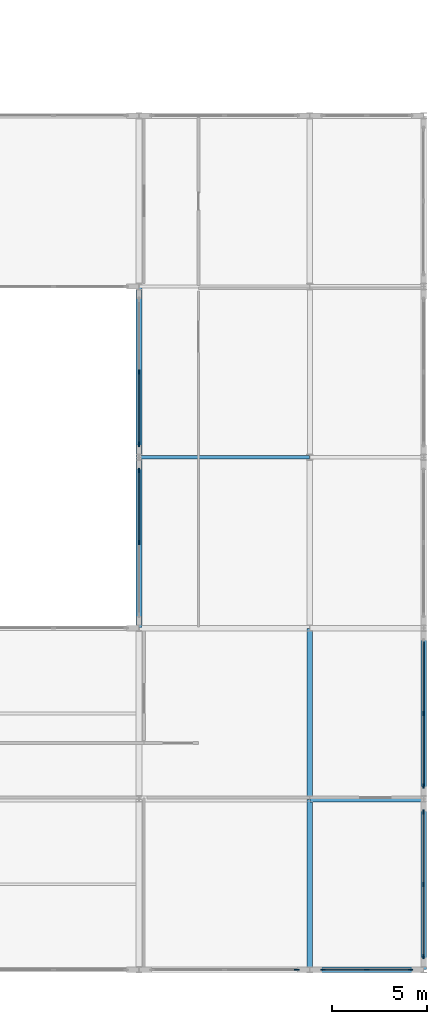
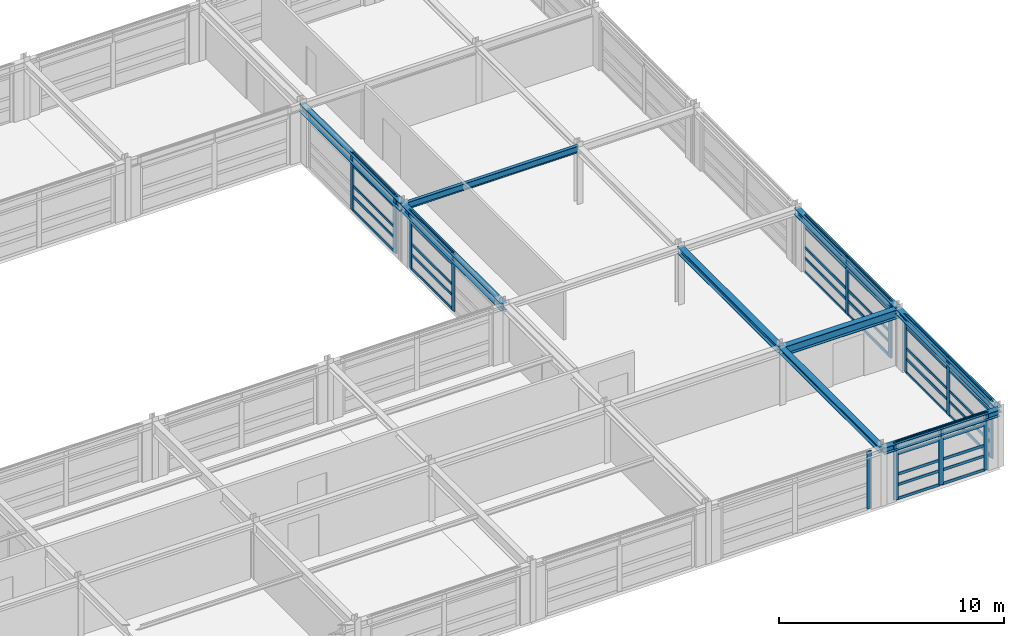
# One storey, part 51 of 91: 53 members, 9 beams, 6 elements without a shape of their own.
"""IFC4 building model written with IfcOpenShell, lengths in metres."""

from ifc_helpers import new_model, si_unit, direction, frame, origin, origin_2d, place, context, subcontext, project, spatial, rectangle, i_section, extrude, material, material_profile, profile_set, type_object, element, aggregate, save


model = new_model("IFC4")

# Units and contexts
model_context = context("Model", 3, precision=1e-05, world=origin(), true_north=direction((0.0, 1.0)))
body_context = subcontext(model_context, "Body", "Model", "MODEL_VIEW")
ifc_project = project(units=[si_unit("LENGTHUNIT", "METRE"), si_unit("AREAUNIT", "SQUARE_METRE"), si_unit("VOLUMEUNIT", "CUBIC_METRE"), si_unit("PLANEANGLEUNIT", "RADIAN"), si_unit("MASSUNIT", "GRAM", prefix="KILO")], contexts=[model_context])

# Site, building, storey
site_placement = place(None, origin())
site = spatial("IfcSite", under=ifc_project, at=site_placement, CompositionType="ELEMENT")
building_placement = place(site_placement, origin())
building = spatial("IfcBuilding", under=site, at=building_placement, Name="Palais des Congres Ocreval", CompositionType="ELEMENT")
storey_placement = place(building_placement, frame((0.0, 0.0, 8.159912109375)))
storey = spatial("IfcBuildingStorey", under=building, at=storey_placement, Name="L02", CompositionType="ELEMENT", Elevation=8.159912109375)

# Beam
ifc_material_1 = material(Name="Steel S355", Category="steel")
ifc_material_profile_1 = material_profile(ifc_material_1, i_section(OverallWidth=0.169921875, OverallDepth=0.360107421875, WebThickness=0.008056640625, FlangeThickness=0.0126953125, at=origin_2d()), Name="IPE 360")
ifc_profile_set_1 = profile_set([ifc_material_profile_1], Name="Steel S355")
beam_type_1 = type_object("IfcBeamType", Name="Composite Beam IPE 360 Steel S355", PredefinedType="BEAM", material=ifc_profile_set_1)
beam_1_placement = place(storey_placement, frame((153.02001953125, 27.0, 2.920166015625), z_axis=(1.0, 0.0, 0.0), x_axis=(0.0, 1.0, 0.0)))
element("IfcBeam", 1, at=beam_1_placement, inside=storey, type_object=beam_type_1, Name="Beam B01 L02", PredefinedType="BEAM", context=body_context, shape_type="SweptSolid", body=[
    extrude(i_section(OverallWidth=0.169921875, OverallDepth=0.360107421875, WebThickness=0.008056640625, FlangeThickness=0.0126953125, at=origin_2d()), origin(), (0.0, 0.0, 1.0), 8.9599609375),
])

# Curtain wall, members
ifc_material_2 = material(Name="Anodized bronze aluminium and low-E glass", Category="glass")
curtain_wall_type_1 = type_object("IfcCurtainWallType", Name="Unitised Curtain Wall 7900x3120", PredefinedType="USERDEFINED", material=ifc_material_2)
curtain_wall_1_placement = place(storey_placement, origin())
curtain_wall_1 = element("IfcCurtainWall", 2, at=curtain_wall_1_placement, inside=storey, type_object=curtain_wall_type_1, Name="Unitised Curtain Wall CW03 L02", ObjectType="UNITISED CURTAIN WALL", PredefinedType="USERDEFINED")
ifc_material_3 = material(Name="Anodized bronze aluminium", Category="aluminium")
ifc_material_profile_2 = material_profile(ifc_material_3, rectangle(XDim=0.074951171875, YDim=0.239990234375, at=origin_2d()), Name="ALU 75x240")
ifc_profile_set_2 = profile_set([ifc_material_profile_2], Name="Anodized bronze aluminium")
member_type_1 = type_object("IfcMemberType", Name="Curtain Wall Mullion ALU 75x240", PredefinedType="MULLION", material=ifc_profile_set_2)
member_1_placement = place(storey_placement, frame((168.0, 13.5, 0.0), z_axis=(0.0, 0.0, 1.0), x_axis=(1.0, 0.0, 0.0)))
member_1 = element("IfcMember", 3, at=member_1_placement, type_object=member_type_1, Name="Curtain Wall Mullion ML01", PredefinedType="MULLION", context=body_context, shape_type="SweptSolid", body=[
    extrude(rectangle(XDim=0.074951171875, YDim=0.239990234375, at=origin_2d()), origin(), (0.0, 0.0, 1.0), 3.110107421875),
])
member_2_placement = place(storey_placement, frame((168.0, 9.6875, 0.0), z_axis=(0.0, 0.0, 1.0), x_axis=(1.0, 0.0, 0.0)))
member_2 = element("IfcMember", 4, at=member_2_placement, type_object=member_type_1, Name="Curtain Wall Mullion ML01", PredefinedType="MULLION", context=body_context, shape_type="SweptSolid", body=[
    extrude(rectangle(XDim=0.074951171875, YDim=0.239990234375, at=origin_2d()), origin(), (0.0, 0.0, 1.0), 3.110107421875),
])

curtain_wall_2_placement = place(storey_placement, origin())
curtain_wall_2 = element("IfcCurtainWall", 5, at=curtain_wall_2_placement, inside=storey, type_object=curtain_wall_type_1, Name="Unitised Curtain Wall CW03 L02", ObjectType="UNITISED CURTAIN WALL", PredefinedType="USERDEFINED")
member_3_placement = place(storey_placement, frame((168.0, 8.3125, 0.0), z_axis=(0.0, 0.0, 1.0), x_axis=(1.0, 0.0, 0.0)))
member_3 = element("IfcMember", 6, at=member_3_placement, type_object=member_type_1, Name="Curtain Wall Mullion ML01", PredefinedType="MULLION", context=body_context, shape_type="SweptSolid", body=[
    extrude(rectangle(XDim=0.074951171875, YDim=0.239990234375, at=origin_2d()), origin(), (0.0, 0.0, 1.0), 3.110107421875),
])
member_4_placement = place(storey_placement, frame((168.0, 4.5, 0.0), z_axis=(0.0, 0.0, 1.0), x_axis=(1.0, 0.0, 0.0)))
member_4 = element("IfcMember", 7, at=member_4_placement, type_object=member_type_1, Name="Curtain Wall Mullion ML01", PredefinedType="MULLION", context=body_context, shape_type="SweptSolid", body=[
    extrude(rectangle(XDim=0.074951171875, YDim=0.239990234375, at=origin_2d()), origin(), (0.0, 0.0, 1.0), 3.110107421875),
])
member_5_placement = place(storey_placement, frame((168.0, 0.6875, 0.0), z_axis=(0.0, 0.0, 1.0), x_axis=(1.0, 0.0, 0.0)))
member_5 = element("IfcMember", 8, at=member_5_placement, type_object=member_type_1, Name="Curtain Wall Mullion ML01", PredefinedType="MULLION", context=body_context, shape_type="SweptSolid", body=[
    extrude(rectangle(XDim=0.074951171875, YDim=0.239990234375, at=origin_2d()), origin(), (0.0, 0.0, 1.0), 3.110107421875),
])

curtain_wall_type_2 = type_object("IfcCurtainWallType", Name="Unitised Curtain Wall 5800x3280", PredefinedType="USERDEFINED", material=ifc_material_2)
curtain_wall_3_placement = place(storey_placement, origin())
curtain_wall_3 = element("IfcCurtainWall", 9, at=curtain_wall_3_placement, inside=storey, type_object=curtain_wall_type_2, Name="Unitised Curtain Wall CW14 L02", ObjectType="UNITISED CURTAIN WALL", PredefinedType="USERDEFINED")
member_6_placement = place(storey_placement, frame((167.3125, 0.0, 0.0), z_axis=(0.0, 0.0, 1.0), x_axis=(0.0, -1.0, 0.0)))
member_6 = element("IfcMember", 10, at=member_6_placement, type_object=member_type_1, Name="Curtain Wall Mullion ML01", PredefinedType="MULLION", context=body_context, shape_type="SweptSolid", body=[
    extrude(rectangle(XDim=0.074951171875, YDim=0.239990234375, at=origin_2d()), origin(), (0.0, 0.0, 1.0), 3.110107421875),
])
member_7_placement = place(storey_placement, frame((165.0, 0.0, 0.0), z_axis=(0.0, 0.0, 1.0), x_axis=(0.0, -1.0, 0.0)))
member_7 = element("IfcMember", 11, at=member_7_placement, type_object=member_type_1, Name="Curtain Wall Mullion ML01", PredefinedType="MULLION", context=body_context, shape_type="SweptSolid", body=[
    extrude(rectangle(XDim=0.074951171875, YDim=0.239990234375, at=origin_2d()), origin(), (0.0, 0.0, 1.0), 3.110107421875),
])
member_8_placement = place(storey_placement, frame((162.6875, 0.0, 0.0), z_axis=(0.0, 0.0, 1.0), x_axis=(0.0, -1.0, 0.0)))
member_8 = element("IfcMember", 12, at=member_8_placement, type_object=member_type_1, Name="Curtain Wall Mullion ML01", PredefinedType="MULLION", context=body_context, shape_type="SweptSolid", body=[
    extrude(rectangle(XDim=0.074951171875, YDim=0.239990234375, at=origin_2d()), origin(), (0.0, 0.0, 1.0), 3.110107421875),
])

# Curtain wall, member
curtain_wall_4_placement = place(storey_placement, origin())
curtain_wall_4 = element("IfcCurtainWall", 13, at=curtain_wall_4_placement, inside=storey, type_object=curtain_wall_type_1, Name="Unitised Curtain Wall CW03 L02", ObjectType="UNITISED CURTAIN WALL", PredefinedType="USERDEFINED")
member_9_placement = place(storey_placement, frame((161.3125, 0.0, 0.0), z_axis=(0.0, 0.0, 1.0), x_axis=(0.0, -1.0, 0.0)))
member_9 = element("IfcMember", 14, at=member_9_placement, type_object=member_type_1, Name="Curtain Wall Mullion ML01", PredefinedType="MULLION", context=body_context, shape_type="SweptSolid", body=[
    extrude(rectangle(XDim=0.074951171875, YDim=0.239990234375, at=origin_2d()), origin(), (0.0, 0.0, 1.0), 3.110107421875),
])
aggregate(curtain_wall_4, [member_9])

# Curtain wall, members
curtain_wall_5_placement = place(storey_placement, origin())
curtain_wall_5 = element("IfcCurtainWall", 15, at=curtain_wall_5_placement, inside=storey, type_object=curtain_wall_type_1, Name="Unitised Curtain Wall CW03 L02", ObjectType="UNITISED CURTAIN WALL", PredefinedType="USERDEFINED")
member_10_placement = place(storey_placement, frame((153.0, 22.5, 0.0), z_axis=(0.0, 0.0, 1.0), x_axis=(-1.0, 0.0, 0.0)))
member_10 = element("IfcMember", 16, at=member_10_placement, type_object=member_type_1, Name="Curtain Wall Mullion ML01", PredefinedType="MULLION", context=body_context, shape_type="SweptSolid", body=[
    extrude(rectangle(XDim=0.074951171875, YDim=0.239990234375, at=origin_2d()), origin(), (0.0, 0.0, 1.0), 3.110107421875),
])
member_11_placement = place(storey_placement, frame((153.0, 26.3125, 0.0), z_axis=(0.0, 0.0, 1.0), x_axis=(-1.0, 0.0, 0.0)))
member_11 = element("IfcMember", 17, at=member_11_placement, type_object=member_type_1, Name="Curtain Wall Mullion ML01", PredefinedType="MULLION", context=body_context, shape_type="SweptSolid", body=[
    extrude(rectangle(XDim=0.074951171875, YDim=0.239990234375, at=origin_2d()), origin(), (0.0, 0.0, 1.0), 3.110107421875),
])

curtain_wall_6_placement = place(storey_placement, origin())
curtain_wall_6 = element("IfcCurtainWall", 18, at=curtain_wall_6_placement, inside=storey, type_object=curtain_wall_type_1, Name="Unitised Curtain Wall CW03 L02", ObjectType="UNITISED CURTAIN WALL", PredefinedType="USERDEFINED")
member_12_placement = place(storey_placement, frame((153.0, 27.6875, 0.0), z_axis=(0.0, 0.0, 1.0), x_axis=(-1.0, 0.0, 0.0)))
member_12 = element("IfcMember", 19, at=member_12_placement, type_object=member_type_1, Name="Curtain Wall Mullion ML01", PredefinedType="MULLION", context=body_context, shape_type="SweptSolid", body=[
    extrude(rectangle(XDim=0.074951171875, YDim=0.239990234375, at=origin_2d()), origin(), (0.0, 0.0, 1.0), 3.110107421875),
])
member_13_placement = place(storey_placement, frame((153.0, 31.5, 0.0), z_axis=(0.0, 0.0, 1.0), x_axis=(-1.0, 0.0, 0.0)))
member_13 = element("IfcMember", 20, at=member_13_placement, type_object=member_type_1, Name="Curtain Wall Mullion ML01", PredefinedType="MULLION", context=body_context, shape_type="SweptSolid", body=[
    extrude(rectangle(XDim=0.074951171875, YDim=0.239990234375, at=origin_2d()), origin(), (0.0, 0.0, 1.0), 3.110107421875),
])

# Member
ifc_material_profile_3 = material_profile(ifc_material_3, rectangle(XDim=0.06005859375, YDim=0.14990234375, at=origin_2d()), Name="ALU 60x150")
ifc_profile_set_3 = profile_set([ifc_material_profile_3], Name="Anodized bronze aluminium")
member_type_2 = type_object("IfcMemberType", Name="Curtain Wall Transom ALU 60x150", PredefinedType="USERDEFINED", material=ifc_profile_set_3)
member_14_placement = place(storey_placement, frame((168.0, 17.27490234375, 0.030029296875), z_axis=(0.0, -1.0, 0.0), x_axis=(1.0, 0.0, 0.0)))
member_14 = element("IfcMember", 21, at=member_14_placement, type_object=member_type_2, Name="Curtain Wall Transom TR01", ObjectType="TRANSOM", PredefinedType="USERDEFINED", context=body_context, shape_type="SweptSolid", body=[
    extrude(rectangle(XDim=0.06005859375, YDim=0.14990234375, at=origin_2d()), origin(), (0.0, 0.0, 1.0), 3.7373046875),
])

member_15_placement = place(storey_placement, frame((168.0, 17.27490234375, 0.780029296875), z_axis=(0.0, -1.0, 0.0), x_axis=(1.0, 0.0, 0.0)))
member_15 = element("IfcMember", 22, at=member_15_placement, type_object=member_type_2, Name="Curtain Wall Transom TR01", ObjectType="TRANSOM", PredefinedType="USERDEFINED", context=body_context, shape_type="SweptSolid", body=[
    extrude(rectangle(XDim=0.06005859375, YDim=0.14990234375, at=origin_2d()), origin(), (0.0, 0.0, 1.0), 3.7373046875),
])

member_16_placement = place(storey_placement, frame((168.0, 17.27490234375, 1.35302734375), z_axis=(0.0, -1.0, 0.0), x_axis=(1.0, 0.0, 0.0)))
member_16 = element("IfcMember", 23, at=member_16_placement, type_object=member_type_2, Name="Curtain Wall Transom TR01", ObjectType="TRANSOM", PredefinedType="USERDEFINED", context=body_context, shape_type="SweptSolid", body=[
    extrude(rectangle(XDim=0.06005859375, YDim=0.14990234375, at=origin_2d()), origin(), (0.0, 0.0, 1.0), 3.7373046875),
])

member_17_placement = place(storey_placement, frame((168.0, 17.27490234375, 2.460205078125), z_axis=(0.0, -1.0, 0.0), x_axis=(1.0, 0.0, 0.0)))
member_17 = element("IfcMember", 24, at=member_17_placement, type_object=member_type_2, Name="Curtain Wall Transom TR01", ObjectType="TRANSOM", PredefinedType="USERDEFINED", context=body_context, shape_type="SweptSolid", body=[
    extrude(rectangle(XDim=0.06005859375, YDim=0.14990234375, at=origin_2d()), origin(), (0.0, 0.0, 1.0), 3.7373046875),
])

member_18_placement = place(storey_placement, frame((168.0, 17.27490234375, 3.080078125), z_axis=(0.0, -1.0, 0.0), x_axis=(1.0, 0.0, 0.0)))
member_18 = element("IfcMember", 25, at=member_18_placement, type_object=member_type_2, Name="Curtain Wall Transom TR01", ObjectType="TRANSOM", PredefinedType="USERDEFINED", context=body_context, shape_type="SweptSolid", body=[
    extrude(rectangle(XDim=0.06005859375, YDim=0.14990234375, at=origin_2d()), origin(), (0.0, 0.0, 1.0), 3.7373046875),
])

member_19_placement = place(storey_placement, frame((168.0, 13.46240234375, 0.030029296875), z_axis=(0.0, -1.0, 0.0), x_axis=(1.0, 0.0, 0.0)))
member_19 = element("IfcMember", 26, at=member_19_placement, type_object=member_type_2, Name="Curtain Wall Transom TR01", ObjectType="TRANSOM", PredefinedType="USERDEFINED", context=body_context, shape_type="SweptSolid", body=[
    extrude(rectangle(XDim=0.06005859375, YDim=0.14990234375, at=origin_2d()), origin(), (0.0, 0.0, 1.0), 3.7373046875),
])

member_20_placement = place(storey_placement, frame((168.0, 13.46240234375, 0.780029296875), z_axis=(0.0, -1.0, 0.0), x_axis=(1.0, 0.0, 0.0)))
member_20 = element("IfcMember", 27, at=member_20_placement, type_object=member_type_2, Name="Curtain Wall Transom TR01", ObjectType="TRANSOM", PredefinedType="USERDEFINED", context=body_context, shape_type="SweptSolid", body=[
    extrude(rectangle(XDim=0.06005859375, YDim=0.14990234375, at=origin_2d()), origin(), (0.0, 0.0, 1.0), 3.7373046875),
])

member_21_placement = place(storey_placement, frame((168.0, 13.46240234375, 1.35302734375), z_axis=(0.0, -1.0, 0.0), x_axis=(1.0, 0.0, 0.0)))
member_21 = element("IfcMember", 28, at=member_21_placement, type_object=member_type_2, Name="Curtain Wall Transom TR01", ObjectType="TRANSOM", PredefinedType="USERDEFINED", context=body_context, shape_type="SweptSolid", body=[
    extrude(rectangle(XDim=0.06005859375, YDim=0.14990234375, at=origin_2d()), origin(), (0.0, 0.0, 1.0), 3.7373046875),
])

member_22_placement = place(storey_placement, frame((168.0, 13.46240234375, 2.460205078125), z_axis=(0.0, -1.0, 0.0), x_axis=(1.0, 0.0, 0.0)))
member_22 = element("IfcMember", 29, at=member_22_placement, type_object=member_type_2, Name="Curtain Wall Transom TR01", ObjectType="TRANSOM", PredefinedType="USERDEFINED", context=body_context, shape_type="SweptSolid", body=[
    extrude(rectangle(XDim=0.06005859375, YDim=0.14990234375, at=origin_2d()), origin(), (0.0, 0.0, 1.0), 3.7373046875),
])

member_23_placement = place(storey_placement, frame((168.0, 13.46240234375, 3.080078125), z_axis=(0.0, -1.0, 0.0), x_axis=(1.0, 0.0, 0.0)))
member_23 = element("IfcMember", 30, at=member_23_placement, type_object=member_type_2, Name="Curtain Wall Transom TR01", ObjectType="TRANSOM", PredefinedType="USERDEFINED", context=body_context, shape_type="SweptSolid", body=[
    extrude(rectangle(XDim=0.06005859375, YDim=0.14990234375, at=origin_2d()), origin(), (0.0, 0.0, 1.0), 3.7373046875),
])

aggregate(curtain_wall_1, [member_1, member_2, member_14, member_15, member_16, member_17, member_18, member_19, member_20, member_21, member_22, member_23])

member_24_placement = place(storey_placement, frame((168.0, 8.27490234375, 0.030029296875), z_axis=(0.0, -1.0, 0.0), x_axis=(1.0, 0.0, 0.0)))
member_24 = element("IfcMember", 31, at=member_24_placement, type_object=member_type_2, Name="Curtain Wall Transom TR01", ObjectType="TRANSOM", PredefinedType="USERDEFINED", context=body_context, shape_type="SweptSolid", body=[
    extrude(rectangle(XDim=0.06005859375, YDim=0.14990234375, at=origin_2d()), origin(), (0.0, 0.0, 1.0), 3.7373046875),
])

member_25_placement = place(storey_placement, frame((168.0, 8.27490234375, 0.780029296875), z_axis=(0.0, -1.0, 0.0), x_axis=(1.0, 0.0, 0.0)))
member_25 = element("IfcMember", 32, at=member_25_placement, type_object=member_type_2, Name="Curtain Wall Transom TR01", ObjectType="TRANSOM", PredefinedType="USERDEFINED", context=body_context, shape_type="SweptSolid", body=[
    extrude(rectangle(XDim=0.06005859375, YDim=0.14990234375, at=origin_2d()), origin(), (0.0, 0.0, 1.0), 3.7373046875),
])

member_26_placement = place(storey_placement, frame((168.0, 8.27490234375, 1.35302734375), z_axis=(0.0, -1.0, 0.0), x_axis=(1.0, 0.0, 0.0)))
member_26 = element("IfcMember", 33, at=member_26_placement, type_object=member_type_2, Name="Curtain Wall Transom TR01", ObjectType="TRANSOM", PredefinedType="USERDEFINED", context=body_context, shape_type="SweptSolid", body=[
    extrude(rectangle(XDim=0.06005859375, YDim=0.14990234375, at=origin_2d()), origin(), (0.0, 0.0, 1.0), 3.7373046875),
])

member_27_placement = place(storey_placement, frame((168.0, 8.27490234375, 2.460205078125), z_axis=(0.0, -1.0, 0.0), x_axis=(1.0, 0.0, 0.0)))
member_27 = element("IfcMember", 34, at=member_27_placement, type_object=member_type_2, Name="Curtain Wall Transom TR01", ObjectType="TRANSOM", PredefinedType="USERDEFINED", context=body_context, shape_type="SweptSolid", body=[
    extrude(rectangle(XDim=0.06005859375, YDim=0.14990234375, at=origin_2d()), origin(), (0.0, 0.0, 1.0), 3.7373046875),
])

member_28_placement = place(storey_placement, frame((168.0, 8.27490234375, 3.080078125), z_axis=(0.0, -1.0, 0.0), x_axis=(1.0, 0.0, 0.0)))
member_28 = element("IfcMember", 35, at=member_28_placement, type_object=member_type_2, Name="Curtain Wall Transom TR01", ObjectType="TRANSOM", PredefinedType="USERDEFINED", context=body_context, shape_type="SweptSolid", body=[
    extrude(rectangle(XDim=0.06005859375, YDim=0.14990234375, at=origin_2d()), origin(), (0.0, 0.0, 1.0), 3.7373046875),
])

member_29_placement = place(storey_placement, frame((168.0, 4.46240234375, 0.030029296875), z_axis=(0.0, -1.0, 0.0), x_axis=(1.0, 0.0, 0.0)))
member_29 = element("IfcMember", 36, at=member_29_placement, type_object=member_type_2, Name="Curtain Wall Transom TR01", ObjectType="TRANSOM", PredefinedType="USERDEFINED", context=body_context, shape_type="SweptSolid", body=[
    extrude(rectangle(XDim=0.06005859375, YDim=0.14990234375, at=origin_2d()), origin(), (0.0, 0.0, 1.0), 3.7373046875),
])

member_30_placement = place(storey_placement, frame((168.0, 4.46240234375, 0.780029296875), z_axis=(0.0, -1.0, 0.0), x_axis=(1.0, 0.0, 0.0)))
member_30 = element("IfcMember", 37, at=member_30_placement, type_object=member_type_2, Name="Curtain Wall Transom TR01", ObjectType="TRANSOM", PredefinedType="USERDEFINED", context=body_context, shape_type="SweptSolid", body=[
    extrude(rectangle(XDim=0.06005859375, YDim=0.14990234375, at=origin_2d()), origin(), (0.0, 0.0, 1.0), 3.7373046875),
])

member_31_placement = place(storey_placement, frame((168.0, 4.46240234375, 1.35302734375), z_axis=(0.0, -1.0, 0.0), x_axis=(1.0, 0.0, 0.0)))
member_31 = element("IfcMember", 38, at=member_31_placement, type_object=member_type_2, Name="Curtain Wall Transom TR01", ObjectType="TRANSOM", PredefinedType="USERDEFINED", context=body_context, shape_type="SweptSolid", body=[
    extrude(rectangle(XDim=0.06005859375, YDim=0.14990234375, at=origin_2d()), origin(), (0.0, 0.0, 1.0), 3.7373046875),
])

member_32_placement = place(storey_placement, frame((168.0, 4.46240234375, 2.460205078125), z_axis=(0.0, -1.0, 0.0), x_axis=(1.0, 0.0, 0.0)))
member_32 = element("IfcMember", 39, at=member_32_placement, type_object=member_type_2, Name="Curtain Wall Transom TR01", ObjectType="TRANSOM", PredefinedType="USERDEFINED", context=body_context, shape_type="SweptSolid", body=[
    extrude(rectangle(XDim=0.06005859375, YDim=0.14990234375, at=origin_2d()), origin(), (0.0, 0.0, 1.0), 3.7373046875),
])

member_33_placement = place(storey_placement, frame((168.0, 4.46240234375, 3.080078125), z_axis=(0.0, -1.0, 0.0), x_axis=(1.0, 0.0, 0.0)))
member_33 = element("IfcMember", 40, at=member_33_placement, type_object=member_type_2, Name="Curtain Wall Transom TR01", ObjectType="TRANSOM", PredefinedType="USERDEFINED", context=body_context, shape_type="SweptSolid", body=[
    extrude(rectangle(XDim=0.06005859375, YDim=0.14990234375, at=origin_2d()), origin(), (0.0, 0.0, 1.0), 3.7373046875),
])

aggregate(curtain_wall_2, [member_3, member_4, member_5, member_24, member_25, member_26, member_27, member_28, member_29, member_30, member_31, member_32, member_33])

member_34_placement = place(storey_placement, frame((167.27490234375, 0.0, 0.030029296875), z_axis=(-1.0, 0.0, 0.0), x_axis=(0.0, -1.0, 0.0)))
member_34 = element("IfcMember", 41, at=member_34_placement, type_object=member_type_2, Name="Curtain Wall Transom TR01", ObjectType="TRANSOM", PredefinedType="USERDEFINED", context=body_context, shape_type="SweptSolid", body=[
    extrude(rectangle(XDim=0.06005859375, YDim=0.14990234375, at=origin_2d()), origin(), (0.0, 0.0, 1.0), 2.2373046875),
])

member_35_placement = place(storey_placement, frame((167.27490234375, 0.0, 0.780029296875), z_axis=(-1.0, 0.0, 0.0), x_axis=(0.0, -1.0, 0.0)))
member_35 = element("IfcMember", 42, at=member_35_placement, type_object=member_type_2, Name="Curtain Wall Transom TR01", ObjectType="TRANSOM", PredefinedType="USERDEFINED", context=body_context, shape_type="SweptSolid", body=[
    extrude(rectangle(XDim=0.06005859375, YDim=0.14990234375, at=origin_2d()), origin(), (0.0, 0.0, 1.0), 2.2373046875),
])

member_36_placement = place(storey_placement, frame((167.27490234375, 0.0, 1.35302734375), z_axis=(-1.0, 0.0, 0.0), x_axis=(0.0, -1.0, 0.0)))
member_36 = element("IfcMember", 43, at=member_36_placement, type_object=member_type_2, Name="Curtain Wall Transom TR01", ObjectType="TRANSOM", PredefinedType="USERDEFINED", context=body_context, shape_type="SweptSolid", body=[
    extrude(rectangle(XDim=0.06005859375, YDim=0.14990234375, at=origin_2d()), origin(), (0.0, 0.0, 1.0), 2.2373046875),
])

member_37_placement = place(storey_placement, frame((167.27490234375, 0.0, 2.460205078125), z_axis=(-1.0, 0.0, 0.0), x_axis=(0.0, -1.0, 0.0)))
member_37 = element("IfcMember", 44, at=member_37_placement, type_object=member_type_2, Name="Curtain Wall Transom TR01", ObjectType="TRANSOM", PredefinedType="USERDEFINED", context=body_context, shape_type="SweptSolid", body=[
    extrude(rectangle(XDim=0.06005859375, YDim=0.14990234375, at=origin_2d()), origin(), (0.0, 0.0, 1.0), 2.2373046875),
])

member_38_placement = place(storey_placement, frame((167.27490234375, 0.0, 3.080078125), z_axis=(-1.0, 0.0, 0.0), x_axis=(0.0, -1.0, 0.0)))
member_38 = element("IfcMember", 45, at=member_38_placement, type_object=member_type_2, Name="Curtain Wall Transom TR01", ObjectType="TRANSOM", PredefinedType="USERDEFINED", context=body_context, shape_type="SweptSolid", body=[
    extrude(rectangle(XDim=0.06005859375, YDim=0.14990234375, at=origin_2d()), origin(), (0.0, 0.0, 1.0), 2.2373046875),
])

member_39_placement = place(storey_placement, frame((164.96240234375, 0.0, 0.030029296875), z_axis=(-1.0, 0.0, 0.0), x_axis=(0.0, -1.0, 0.0)))
member_39 = element("IfcMember", 46, at=member_39_placement, type_object=member_type_2, Name="Curtain Wall Transom TR01", ObjectType="TRANSOM", PredefinedType="USERDEFINED", context=body_context, shape_type="SweptSolid", body=[
    extrude(rectangle(XDim=0.06005859375, YDim=0.14990234375, at=origin_2d()), origin(), (0.0, 0.0, 1.0), 2.2373046875),
])

member_40_placement = place(storey_placement, frame((164.96240234375, 0.0, 0.780029296875), z_axis=(-1.0, 0.0, 0.0), x_axis=(0.0, -1.0, 0.0)))
member_40 = element("IfcMember", 47, at=member_40_placement, type_object=member_type_2, Name="Curtain Wall Transom TR01", ObjectType="TRANSOM", PredefinedType="USERDEFINED", context=body_context, shape_type="SweptSolid", body=[
    extrude(rectangle(XDim=0.06005859375, YDim=0.14990234375, at=origin_2d()), origin(), (0.0, 0.0, 1.0), 2.2373046875),
])

member_41_placement = place(storey_placement, frame((164.96240234375, 0.0, 1.35302734375), z_axis=(-1.0, 0.0, 0.0), x_axis=(0.0, -1.0, 0.0)))
member_41 = element("IfcMember", 48, at=member_41_placement, type_object=member_type_2, Name="Curtain Wall Transom TR01", ObjectType="TRANSOM", PredefinedType="USERDEFINED", context=body_context, shape_type="SweptSolid", body=[
    extrude(rectangle(XDim=0.06005859375, YDim=0.14990234375, at=origin_2d()), origin(), (0.0, 0.0, 1.0), 2.2373046875),
])

member_42_placement = place(storey_placement, frame((164.96240234375, 0.0, 2.460205078125), z_axis=(-1.0, 0.0, 0.0), x_axis=(0.0, -1.0, 0.0)))
member_42 = element("IfcMember", 49, at=member_42_placement, type_object=member_type_2, Name="Curtain Wall Transom TR01", ObjectType="TRANSOM", PredefinedType="USERDEFINED", context=body_context, shape_type="SweptSolid", body=[
    extrude(rectangle(XDim=0.06005859375, YDim=0.14990234375, at=origin_2d()), origin(), (0.0, 0.0, 1.0), 2.2373046875),
])

member_43_placement = place(storey_placement, frame((164.96240234375, 0.0, 3.080078125), z_axis=(-1.0, 0.0, 0.0), x_axis=(0.0, -1.0, 0.0)))
member_43 = element("IfcMember", 50, at=member_43_placement, type_object=member_type_2, Name="Curtain Wall Transom TR01", ObjectType="TRANSOM", PredefinedType="USERDEFINED", context=body_context, shape_type="SweptSolid", body=[
    extrude(rectangle(XDim=0.06005859375, YDim=0.14990234375, at=origin_2d()), origin(), (0.0, 0.0, 1.0), 2.2373046875),
])

aggregate(curtain_wall_3, [member_6, member_7, member_8, member_34, member_35, member_36, member_37, member_38, member_39, member_40, member_41, member_42, member_43])

member_44_placement = place(storey_placement, frame((153.0, 22.53759765625, 0.030029296875), z_axis=(0.0, 1.0, 0.0), x_axis=(-1.0, 0.0, 0.0)))
member_44 = element("IfcMember", 51, at=member_44_placement, type_object=member_type_2, Name="Curtain Wall Transom TR01", ObjectType="TRANSOM", PredefinedType="USERDEFINED", context=body_context, shape_type="SweptSolid", body=[
    extrude(rectangle(XDim=0.06005859375, YDim=0.14990234375, at=origin_2d()), origin(), (0.0, 0.0, 1.0), 3.7373046875),
])

member_45_placement = place(storey_placement, frame((153.0, 22.53759765625, 0.780029296875), z_axis=(0.0, 1.0, 0.0), x_axis=(-1.0, 0.0, 0.0)))
member_45 = element("IfcMember", 52, at=member_45_placement, type_object=member_type_2, Name="Curtain Wall Transom TR01", ObjectType="TRANSOM", PredefinedType="USERDEFINED", context=body_context, shape_type="SweptSolid", body=[
    extrude(rectangle(XDim=0.06005859375, YDim=0.14990234375, at=origin_2d()), origin(), (0.0, 0.0, 1.0), 3.7373046875),
])

member_46_placement = place(storey_placement, frame((153.0, 22.53759765625, 1.35302734375), z_axis=(0.0, 1.0, 0.0), x_axis=(-1.0, 0.0, 0.0)))
member_46 = element("IfcMember", 53, at=member_46_placement, type_object=member_type_2, Name="Curtain Wall Transom TR01", ObjectType="TRANSOM", PredefinedType="USERDEFINED", context=body_context, shape_type="SweptSolid", body=[
    extrude(rectangle(XDim=0.06005859375, YDim=0.14990234375, at=origin_2d()), origin(), (0.0, 0.0, 1.0), 3.7373046875),
])

member_47_placement = place(storey_placement, frame((153.0, 22.53759765625, 2.460205078125), z_axis=(0.0, 1.0, 0.0), x_axis=(-1.0, 0.0, 0.0)))
member_47 = element("IfcMember", 54, at=member_47_placement, type_object=member_type_2, Name="Curtain Wall Transom TR01", ObjectType="TRANSOM", PredefinedType="USERDEFINED", context=body_context, shape_type="SweptSolid", body=[
    extrude(rectangle(XDim=0.06005859375, YDim=0.14990234375, at=origin_2d()), origin(), (0.0, 0.0, 1.0), 3.7373046875),
])

member_48_placement = place(storey_placement, frame((153.0, 22.53759765625, 3.080078125), z_axis=(0.0, 1.0, 0.0), x_axis=(-1.0, 0.0, 0.0)))
member_48 = element("IfcMember", 55, at=member_48_placement, type_object=member_type_2, Name="Curtain Wall Transom TR01", ObjectType="TRANSOM", PredefinedType="USERDEFINED", context=body_context, shape_type="SweptSolid", body=[
    extrude(rectangle(XDim=0.06005859375, YDim=0.14990234375, at=origin_2d()), origin(), (0.0, 0.0, 1.0), 3.7373046875),
])

aggregate(curtain_wall_5, [member_10, member_11, member_44, member_45, member_46, member_47, member_48])

member_49_placement = place(storey_placement, frame((153.0, 27.72509765625, 0.030029296875), z_axis=(0.0, 1.0, 0.0), x_axis=(-1.0, 0.0, 0.0)))
member_49 = element("IfcMember", 56, at=member_49_placement, type_object=member_type_2, Name="Curtain Wall Transom TR01", ObjectType="TRANSOM", PredefinedType="USERDEFINED", context=body_context, shape_type="SweptSolid", body=[
    extrude(rectangle(XDim=0.06005859375, YDim=0.14990234375, at=origin_2d()), origin(), (0.0, 0.0, 1.0), 3.7373046875),
])

member_50_placement = place(storey_placement, frame((153.0, 27.72509765625, 0.780029296875), z_axis=(0.0, 1.0, 0.0), x_axis=(-1.0, 0.0, 0.0)))
member_50 = element("IfcMember", 57, at=member_50_placement, type_object=member_type_2, Name="Curtain Wall Transom TR01", ObjectType="TRANSOM", PredefinedType="USERDEFINED", context=body_context, shape_type="SweptSolid", body=[
    extrude(rectangle(XDim=0.06005859375, YDim=0.14990234375, at=origin_2d()), origin(), (0.0, 0.0, 1.0), 3.7373046875),
])

member_51_placement = place(storey_placement, frame((153.0, 27.72509765625, 1.35302734375), z_axis=(0.0, 1.0, 0.0), x_axis=(-1.0, 0.0, 0.0)))
member_51 = element("IfcMember", 58, at=member_51_placement, type_object=member_type_2, Name="Curtain Wall Transom TR01", ObjectType="TRANSOM", PredefinedType="USERDEFINED", context=body_context, shape_type="SweptSolid", body=[
    extrude(rectangle(XDim=0.06005859375, YDim=0.14990234375, at=origin_2d()), origin(), (0.0, 0.0, 1.0), 3.7373046875),
])

member_52_placement = place(storey_placement, frame((153.0, 27.72509765625, 2.460205078125), z_axis=(0.0, 1.0, 0.0), x_axis=(-1.0, 0.0, 0.0)))
member_52 = element("IfcMember", 59, at=member_52_placement, type_object=member_type_2, Name="Curtain Wall Transom TR01", ObjectType="TRANSOM", PredefinedType="USERDEFINED", context=body_context, shape_type="SweptSolid", body=[
    extrude(rectangle(XDim=0.06005859375, YDim=0.14990234375, at=origin_2d()), origin(), (0.0, 0.0, 1.0), 3.7373046875),
])

member_53_placement = place(storey_placement, frame((153.0, 27.72509765625, 3.080078125), z_axis=(0.0, 1.0, 0.0), x_axis=(-1.0, 0.0, 0.0)))
member_53 = element("IfcMember", 60, at=member_53_placement, type_object=member_type_2, Name="Curtain Wall Transom TR01", ObjectType="TRANSOM", PredefinedType="USERDEFINED", context=body_context, shape_type="SweptSolid", body=[
    extrude(rectangle(XDim=0.06005859375, YDim=0.14990234375, at=origin_2d()), origin(), (0.0, 0.0, 1.0), 3.7373046875),
])

aggregate(curtain_wall_6, [member_12, member_13, member_49, member_50, member_51, member_52, member_53])

# Beams
ifc_material_profile_4 = material_profile(ifc_material_1, i_section(OverallWidth=0.300048828125, OverallDepth=0.300048828125, WebThickness=0.010986328125, FlangeThickness=0.01904296875, at=origin_2d()), Name="HEB 300")
ifc_profile_set_4 = profile_set([ifc_material_profile_4], Name="Steel S355")
beam_type_2 = type_object("IfcBeamType", Name="Perimeter Spandrel HEB 300 Steel S355", PredefinedType="SPANDREL", material=ifc_profile_set_4)
for number, where, z_axis, x_axis, name in (
    (61, (162.0, 0.02001953125, 2.9501953125), (0.0, 1.0, 0.0), (-1.0, 0.0, 0.0), "Girder SP02 L02"),
    (62, (168.0, 0.02001953125, 2.9501953125), (0.0, 1.0, 0.0), (-1.0, 0.0, 0.0), "Girder SP02 L02"),
):
    element("IfcBeam", number, at=place(storey_placement, frame(where, z_axis=z_axis, x_axis=x_axis)), inside=storey, type_object=beam_type_2, Name=name, PredefinedType="SPANDREL", context=body_context, shape_type="SweptSolid", body=[
        extrude(i_section(OverallWidth=0.300048828125, OverallDepth=0.300048828125, WebThickness=0.010986328125, FlangeThickness=0.01904296875, at=origin_2d()), origin(), (0.0, 0.0, 1.0), 8.9599609375),
    ])
ifc_material_profile_5 = material_profile(ifc_material_1, i_section(OverallWidth=0.300048828125, OverallDepth=0.360107421875, WebThickness=0.012451171875, FlangeThickness=0.0224609375, at=origin_2d()), Name="HEB 360")
ifc_profile_set_5 = profile_set([ifc_material_profile_5], Name="Steel S355")
beam_type_3 = type_object("IfcBeamType", Name="Perimeter Spandrel HEB 360 Steel S355", PredefinedType="SPANDREL", material=ifc_profile_set_5)
beam_2_placement = place(storey_placement, frame((162.02001953125, 0.0, 2.920166015625), z_axis=(1.0, 0.0, 0.0), x_axis=(0.0, 1.0, 0.0)))
element("IfcBeam", 63, at=beam_2_placement, inside=storey, type_object=beam_type_3, Name="Beam SP03 L02", PredefinedType="SPANDREL", context=body_context, shape_type="SweptSolid", body=[
    extrude(i_section(OverallWidth=0.300048828125, OverallDepth=0.360107421875, WebThickness=0.012451171875, FlangeThickness=0.0224609375, at=origin_2d()), origin(), (0.0, 0.0, 1.0), 5.9599609375),
])
for number, where, z_axis, x_axis, name in (
    (64, (162.0, 9.02001953125, 2.920166015625), (0.0, 1.0, 0.0), (-1.0, 0.0, 0.0), "Girder SP03 L02"),
    (65, (168.0, 9.02001953125, 2.920166015625), (0.0, 1.0, 0.0), (-1.0, 0.0, 0.0), "Girder SP03 L02"),
):
    element("IfcBeam", number, at=place(storey_placement, frame(where, z_axis=z_axis, x_axis=x_axis)), inside=storey, type_object=beam_type_3, Name=name, PredefinedType="SPANDREL", context=body_context, shape_type="SweptSolid", body=[
        extrude(i_section(OverallWidth=0.300048828125, OverallDepth=0.360107421875, WebThickness=0.012451171875, FlangeThickness=0.0224609375, at=origin_2d()), origin(), (0.0, 0.0, 1.0), 8.9599609375),
    ])
ifc_material_profile_6 = material_profile(ifc_material_1, i_section(OverallWidth=0.300048828125, OverallDepth=0.389892578125, WebThickness=0.010986328125, FlangeThickness=0.01904296875, at=origin_2d()), Name="HEA 400")
ifc_profile_set_6 = profile_set([ifc_material_profile_6], Name="Steel S355")
beam_type_4 = type_object("IfcBeamType", Name="Primary Beam HEA 400 Steel S355", PredefinedType="BEAM", material=ifc_profile_set_6)
beam_3_placement = place(storey_placement, frame((153.0, 18.02001953125, 2.905029296875), z_axis=(0.0, 1.0, 0.0), x_axis=(-1.0, 0.0, 0.0)))
element("IfcBeam", 66, at=beam_3_placement, inside=storey, type_object=beam_type_4, Name="Girder B10 L02", PredefinedType="BEAM", context=body_context, shape_type="SweptSolid", body=[
    extrude(i_section(OverallWidth=0.300048828125, OverallDepth=0.389892578125, WebThickness=0.010986328125, FlangeThickness=0.01904296875, at=origin_2d()), origin(), (0.0, 0.0, 1.0), 8.9599609375),
])
ifc_material_profile_7 = material_profile(ifc_material_1, i_section(OverallWidth=0.300048828125, OverallDepth=0.43994140625, WebThickness=0.011474609375, FlangeThickness=0.02099609375, at=origin_2d()), Name="HEA 450")
ifc_profile_set_7 = profile_set([ifc_material_profile_7], Name="Steel S355")
beam_type_5 = type_object("IfcBeamType", Name="Primary Beam HEA 450 Steel S355", PredefinedType="BEAM", material=ifc_profile_set_7)
beam_4_placement = place(storey_placement, frame((153.0, 27.02001953125, 2.880126953125), z_axis=(0.0, 1.0, 0.0), x_axis=(-1.0, 0.0, 0.0)))
element("IfcBeam", 67, at=beam_4_placement, inside=storey, type_object=beam_type_5, Name="Girder B11 L02", PredefinedType="BEAM", context=body_context, shape_type="SweptSolid", body=[
    extrude(i_section(OverallWidth=0.300048828125, OverallDepth=0.43994140625, WebThickness=0.011474609375, FlangeThickness=0.02099609375, at=origin_2d()), origin(), (0.0, 0.0, 1.0), 8.9599609375),
])
ifc_material_profile_8 = material_profile(ifc_material_1, i_section(OverallWidth=0.300048828125, OverallDepth=0.489990234375, WebThickness=0.011962890625, FlangeThickness=0.02294921875, at=origin_2d()), Name="HEA 500")
ifc_profile_set_8 = profile_set([ifc_material_profile_8], Name="Steel S355")
beam_type_6 = type_object("IfcBeamType", Name="Primary Beam HEA 500 Steel S355", PredefinedType="BEAM", material=ifc_profile_set_8)
beam_5_placement = place(storey_placement, frame((162.02001953125, 9.0, 2.85498046875), z_axis=(1.0, 0.0, 0.0), x_axis=(0.0, 1.0, 0.0)))
element("IfcBeam", 68, at=beam_5_placement, inside=storey, type_object=beam_type_6, Name="Beam B12 L02", PredefinedType="BEAM", context=body_context, shape_type="SweptSolid", body=[
    extrude(i_section(OverallWidth=0.300048828125, OverallDepth=0.489990234375, WebThickness=0.011962890625, FlangeThickness=0.02294921875, at=origin_2d()), origin(), (0.0, 0.0, 1.0), 5.9599609375),
])

save(model, "model.ifc")
